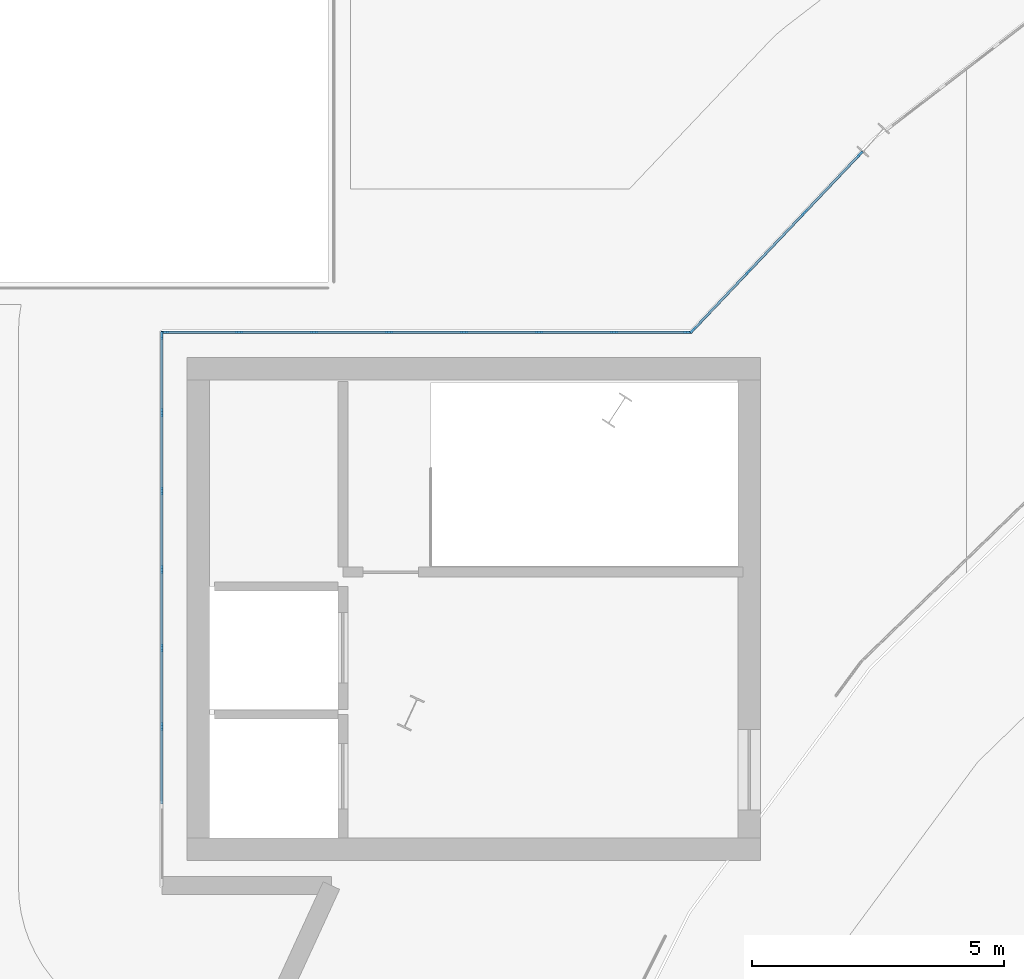
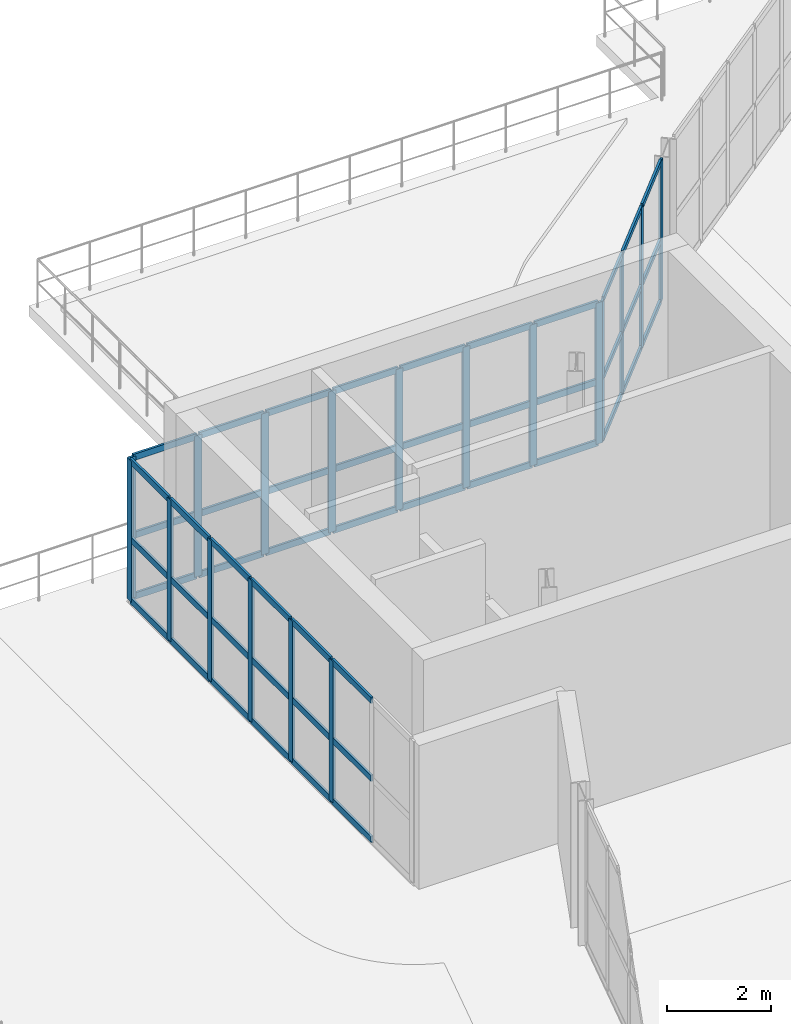
# One storey, part 17 of 40: 66 members, 3 elements without a shape of their own.
"""IFC4 building model written with IfcOpenShell, lengths in metres."""

from ifc_helpers import new_model, si_unit, direction, frame, origin, origin_2d, place, context, subcontext, project, spatial, rectangle, extrude, material, material_profile, profile_set, type_object, element, aggregate, save


model = new_model("IFC4")

# Units and contexts
model_context = context("Model", 3, precision=1e-05, world=origin(), true_north=direction((0.0, 1.0)))
body_context = subcontext(model_context, "Body", "Model", "MODEL_VIEW")
ifc_project = project(units=[si_unit("LENGTHUNIT", "METRE"), si_unit("AREAUNIT", "SQUARE_METRE"), si_unit("VOLUMEUNIT", "CUBIC_METRE"), si_unit("PLANEANGLEUNIT", "RADIAN"), si_unit("MASSUNIT", "GRAM", prefix="KILO")], contexts=[model_context])

# Site, building, storey
site_placement = place(None, origin())
site = spatial("IfcSite", under=ifc_project, at=site_placement, CompositionType="ELEMENT")
building_placement = place(site_placement, origin())
building = spatial("IfcBuilding", under=site, at=building_placement, Name="Glasvene Arena", CompositionType="ELEMENT")
storey_placement = place(building_placement, frame((0.0, 0.0, 24.0)))
storey = spatial("IfcBuildingStorey", under=building, at=storey_placement, Name="L05", CompositionType="ELEMENT", Elevation=24.0)

# Curtain wall, members
ifc_material_1 = material(Name="Low-emissivity laminated double glazing", Category="glass")
curtain_wall_type_1 = type_object("IfcCurtainWallType", Name="CW-FAC-L05-1092x332", PredefinedType="USERDEFINED", material=ifc_material_1)
curtain_wall_1_placement = place(storey_placement, frame((42.5, 90.0400390625, 0.0)))
curtain_wall_1 = element("IfcCurtainWall", 1, at=curtain_wall_1_placement, inside=storey, type_object=curtain_wall_type_1, Name="Unitised curtain wall CW-F-L05-150-425-955-11", ObjectType="CURTAIN WALL", PredefinedType="USERDEFINED")
ifc_material_2 = material(Name="Anodised architectural aluminium", Category="aluminium")
ifc_material_profile_1 = material_profile(ifc_material_2, rectangle(XDim=0.050048828125, YDim=0.159912109375, at=origin_2d()), Name="ALU MULLION 50x160")
ifc_profile_set_1 = profile_set([ifc_material_profile_1], Name="Anodised architectural aluminium")
member_type_1 = type_object("IfcMemberType", Name="CW-MUL-150", PredefinedType="MULLION", material=ifc_profile_set_1)
member_1_placement = place(storey_placement, frame((42.5, 93.159912109375, 0.06005859375), z_axis=(0.0, 0.0, 1.0), x_axis=(-1.0, 0.0, 0.0)))
member_1 = element("IfcMember", 2, at=member_1_placement, type_object=member_type_1, Name="CW-055 mullion 3", PredefinedType="MULLION", context=body_context, shape_type="SweptSolid", body=[
    extrude(rectangle(XDim=0.050048828125, YDim=0.159912109375, at=origin_2d()), origin(), (0.0, 0.0, 1.0), 3.31982421875),
])
member_2_placement = place(storey_placement, frame((42.5, 94.719970703125, 0.06005859375), z_axis=(0.0, 0.0, 1.0), x_axis=(-1.0, 0.0, 0.0)))
member_2 = element("IfcMember", 3, at=member_2_placement, type_object=member_type_1, Name="CW-055 mullion 4", PredefinedType="MULLION", context=body_context, shape_type="SweptSolid", body=[
    extrude(rectangle(XDim=0.050048828125, YDim=0.159912109375, at=origin_2d()), origin(), (0.0, 0.0, 1.0), 3.31982421875),
])
member_3_placement = place(storey_placement, frame((42.5, 96.280029296875, 0.06005859375), z_axis=(0.0, 0.0, 1.0), x_axis=(-1.0, 0.0, 0.0)))
member_3 = element("IfcMember", 4, at=member_3_placement, type_object=member_type_1, Name="CW-055 mullion 5", PredefinedType="MULLION", context=body_context, shape_type="SweptSolid", body=[
    extrude(rectangle(XDim=0.050048828125, YDim=0.159912109375, at=origin_2d()), origin(), (0.0, 0.0, 1.0), 3.31982421875),
])
member_4_placement = place(storey_placement, frame((42.5, 97.840087890625, 0.06005859375), z_axis=(0.0, 0.0, 1.0), x_axis=(-1.0, 0.0, 0.0)))
member_4 = element("IfcMember", 5, at=member_4_placement, type_object=member_type_1, Name="CW-055 mullion 6", PredefinedType="MULLION", context=body_context, shape_type="SweptSolid", body=[
    extrude(rectangle(XDim=0.050048828125, YDim=0.159912109375, at=origin_2d()), origin(), (0.0, 0.0, 1.0), 3.31982421875),
])
member_5_placement = place(storey_placement, frame((42.5, 99.39990234375, 0.06005859375), z_axis=(0.0, 0.0, 1.0), x_axis=(-1.0, 0.0, 0.0)))
member_5 = element("IfcMember", 6, at=member_5_placement, type_object=member_type_1, Name="CW-055 mullion 7", PredefinedType="MULLION", context=body_context, shape_type="SweptSolid", body=[
    extrude(rectangle(XDim=0.050048828125, YDim=0.159912109375, at=origin_2d()), origin(), (0.0, 0.0, 1.0), 3.31982421875),
])
member_6_placement = place(storey_placement, frame((42.5, 100.93505859375, 0.06005859375), z_axis=(0.0, 0.0, 1.0), x_axis=(-1.0, 0.0, 0.0)))
member_6 = element("IfcMember", 7, at=member_6_placement, type_object=member_type_1, Name="CW-055 mullion 8", PredefinedType="MULLION", context=body_context, shape_type="SweptSolid", body=[
    extrude(rectangle(XDim=0.050048828125, YDim=0.159912109375, at=origin_2d()), origin(), (0.0, 0.0, 1.0), 3.31982421875),
])

curtain_wall_type_2 = type_object("IfcCurtainWallType", Name="CW-FAC-L05-1044x332", PredefinedType="USERDEFINED", material=ifc_material_1)
curtain_wall_2_placement = place(storey_placement, frame((42.5400390625, 101.0, 0.0)))
curtain_wall_2 = element("IfcCurtainWall", 8, at=curtain_wall_2_placement, inside=storey, type_object=curtain_wall_type_2, Name="Unitised curtain wall CW-F-L05-150-478-1010-12", ObjectType="CURTAIN WALL", PredefinedType="USERDEFINED")
member_7_placement = place(storey_placement, frame((42.56494140625, 101.0, 0.06005859375), z_axis=(0.0, 0.0, 1.0), x_axis=(0.0, 1.0, 0.0)))
member_7 = element("IfcMember", 9, at=member_7_placement, type_object=member_type_1, Name="CW-059 mullion 1", PredefinedType="MULLION", context=body_context, shape_type="SweptSolid", body=[
    extrude(rectangle(XDim=0.050048828125, YDim=0.159912109375, at=origin_2d()), origin(), (0.0, 0.0, 1.0), 3.31982421875),
])
member_8_placement = place(storey_placement, frame((44.031494140625, 101.0, 0.06005859375), z_axis=(0.0, 0.0, 1.0), x_axis=(0.0, 1.0, 0.0)))
member_8 = element("IfcMember", 10, at=member_8_placement, type_object=member_type_1, Name="CW-059 mullion 2", PredefinedType="MULLION", context=body_context, shape_type="SweptSolid", body=[
    extrude(rectangle(XDim=0.050048828125, YDim=0.159912109375, at=origin_2d()), origin(), (0.0, 0.0, 1.0), 3.31982421875),
])
member_9_placement = place(storey_placement, frame((45.522705078125, 101.0, 0.06005859375), z_axis=(0.0, 0.0, 1.0), x_axis=(0.0, 1.0, 0.0)))
member_9 = element("IfcMember", 11, at=member_9_placement, type_object=member_type_1, Name="CW-059 mullion 3", PredefinedType="MULLION", context=body_context, shape_type="SweptSolid", body=[
    extrude(rectangle(XDim=0.050048828125, YDim=0.159912109375, at=origin_2d()), origin(), (0.0, 0.0, 1.0), 3.31982421875),
])
member_10_placement = place(storey_placement, frame((47.01416015625, 101.0, 0.06005859375), z_axis=(0.0, 0.0, 1.0), x_axis=(0.0, 1.0, 0.0)))
member_10 = element("IfcMember", 12, at=member_10_placement, type_object=member_type_1, Name="CW-059 mullion 4", PredefinedType="MULLION", context=body_context, shape_type="SweptSolid", body=[
    extrude(rectangle(XDim=0.050048828125, YDim=0.159912109375, at=origin_2d()), origin(), (0.0, 0.0, 1.0), 3.31982421875),
])
member_11_placement = place(storey_placement, frame((48.505615234375, 101.0, 0.06005859375), z_axis=(0.0, 0.0, 1.0), x_axis=(0.0, 1.0, 0.0)))
member_11 = element("IfcMember", 13, at=member_11_placement, type_object=member_type_1, Name="CW-059 mullion 5", PredefinedType="MULLION", context=body_context, shape_type="SweptSolid", body=[
    extrude(rectangle(XDim=0.050048828125, YDim=0.159912109375, at=origin_2d()), origin(), (0.0, 0.0, 1.0), 3.31982421875),
])
member_12_placement = place(storey_placement, frame((49.9970703125, 101.0, 0.06005859375), z_axis=(0.0, 0.0, 1.0), x_axis=(0.0, 1.0, 0.0)))
member_12 = element("IfcMember", 14, at=member_12_placement, type_object=member_type_1, Name="CW-059 mullion 6", PredefinedType="MULLION", context=body_context, shape_type="SweptSolid", body=[
    extrude(rectangle(XDim=0.050048828125, YDim=0.159912109375, at=origin_2d()), origin(), (0.0, 0.0, 1.0), 3.31982421875),
])
member_13_placement = place(storey_placement, frame((51.48828125, 101.0, 0.06005859375), z_axis=(0.0, 0.0, 1.0), x_axis=(0.0, 1.0, 0.0)))
member_13 = element("IfcMember", 15, at=member_13_placement, type_object=member_type_1, Name="CW-059 mullion 7", PredefinedType="MULLION", context=body_context, shape_type="SweptSolid", body=[
    extrude(rectangle(XDim=0.050048828125, YDim=0.159912109375, at=origin_2d()), origin(), (0.0, 0.0, 1.0), 3.31982421875),
])
member_14_placement = place(storey_placement, frame((52.954833984375, 101.0, 0.06005859375), z_axis=(0.0, 0.0, 1.0), x_axis=(0.0, 1.0, 0.0)))
member_14 = element("IfcMember", 16, at=member_14_placement, type_object=member_type_1, Name="CW-059 mullion 8", PredefinedType="MULLION", context=body_context, shape_type="SweptSolid", body=[
    extrude(rectangle(XDim=0.050048828125, YDim=0.159912109375, at=origin_2d()), origin(), (0.0, 0.0, 1.0), 3.31982421875),
])

curtain_wall_type_3 = type_object("IfcCurtainWallType", Name="CW-FAC-L05-486x332", PredefinedType="USERDEFINED", material=ifc_material_1)
curtain_wall_3_placement = place(storey_placement, frame((53.04736328125, 101.029052734375, 0.0)))
curtain_wall_3 = element("IfcCurtainWall", 17, at=curtain_wall_3_placement, inside=storey, type_object=curtain_wall_type_3, Name="Unitised curtain wall CW-F-L05-150-547-1028-13", ObjectType="CURTAIN WALL", PredefinedType="USERDEFINED")
member_15_placement = place(storey_placement, frame((53.064453125, 101.047119140625, 0.06005859375), z_axis=(0.0, 0.0, 1.0), x_axis=(-0.725366727026, 0.688362630685, 0.0)))
member_15 = element("IfcMember", 18, at=member_15_placement, type_object=member_type_1, Name="CW-060 mullion 1", PredefinedType="MULLION", context=body_context, shape_type="SweptSolid", body=[
    extrude(rectangle(XDim=0.050048828125, YDim=0.159912109375, at=origin_2d()), origin(), (0.0, 0.0, 1.0), 3.31982421875),
])
member_16_placement = place(storey_placement, frame((54.162109375, 102.203857421875, 0.06005859375), z_axis=(0.0, 0.0, 1.0), x_axis=(-0.725366727026, 0.688362630685, 0.0)))
member_16 = element("IfcMember", 19, at=member_16_placement, type_object=member_type_1, Name="CW-060 mullion 2", PredefinedType="MULLION", context=body_context, shape_type="SweptSolid", body=[
    extrude(rectangle(XDim=0.050048828125, YDim=0.159912109375, at=origin_2d()), origin(), (0.0, 0.0, 1.0), 3.31982421875),
])
member_17_placement = place(storey_placement, frame((55.277099609375, 103.378662109375, 0.06005859375), z_axis=(0.0, 0.0, 1.0), x_axis=(-0.725366727026, 0.688362630685, 0.0)))
member_17 = element("IfcMember", 20, at=member_17_placement, type_object=member_type_1, Name="CW-060 mullion 3", PredefinedType="MULLION", context=body_context, shape_type="SweptSolid", body=[
    extrude(rectangle(XDim=0.050048828125, YDim=0.159912109375, at=origin_2d()), origin(), (0.0, 0.0, 1.0), 3.31982421875),
])
member_18_placement = place(storey_placement, frame((56.374755859375, 104.535400390625, 0.06005859375), z_axis=(0.0, 0.0, 1.0), x_axis=(-0.725366727026, 0.688362630685, 0.0)))
member_18 = element("IfcMember", 21, at=member_18_placement, type_object=member_type_1, Name="CW-060 mullion 4", PredefinedType="MULLION", context=body_context, shape_type="SweptSolid", body=[
    extrude(rectangle(XDim=0.050048828125, YDim=0.159912109375, at=origin_2d()), origin(), (0.0, 0.0, 1.0), 3.31982421875),
])
ifc_material_profile_2 = material_profile(ifc_material_2, rectangle(XDim=0.050048828125, YDim=0.1201171875, at=origin_2d()), Name="ALU TRANSOM 50x120")
ifc_profile_set_2 = profile_set([ifc_material_profile_2], Name="Anodised architectural aluminium")
member_type_2 = type_object("IfcMemberType", Name="CW-TRN-120", PredefinedType="USERDEFINED", material=ifc_profile_set_2)
member_19_placement = place(storey_placement, frame((53.081787109375, 101.065185546875, 0.0849609375), z_axis=(0.688292423357, 0.725433346317, 0.0), x_axis=(-0.725433346317, 0.688292423357, 0.0)))
member_19 = element("IfcMember", 22, at=member_19_placement, type_object=member_type_2, Name="CW-060 transom 1.1", ObjectType="TRANSOM", PredefinedType="USERDEFINED", context=body_context, shape_type="SweptSolid", body=[
    extrude(rectangle(XDim=0.050048828125, YDim=0.1201171875, at=origin_2d()), origin(), (0.0, 0.0, 1.0), 1.544677734375),
])
member_20_placement = place(storey_placement, frame((53.081787109375, 101.065185546875, 1.52099609375), z_axis=(0.688292423357, 0.725433346317, 0.0), x_axis=(-0.725433346317, 0.688292423357, 0.0)))
member_20 = element("IfcMember", 23, at=member_20_placement, type_object=member_type_2, Name="CW-060 transom 1.2", ObjectType="TRANSOM", PredefinedType="USERDEFINED", context=body_context, shape_type="SweptSolid", body=[
    extrude(rectangle(XDim=0.050048828125, YDim=0.1201171875, at=origin_2d()), origin(), (0.0, 0.0, 1.0), 1.544677734375),
])
member_21_placement = place(storey_placement, frame((53.081787109375, 101.065185546875, 3.35498046875), z_axis=(0.688292423357, 0.725433346317, 0.0), x_axis=(-0.725433346317, 0.688292423357, 0.0)))
member_21 = element("IfcMember", 24, at=member_21_placement, type_object=member_type_2, Name="CW-060 transom 1.3", ObjectType="TRANSOM", PredefinedType="USERDEFINED", context=body_context, shape_type="SweptSolid", body=[
    extrude(rectangle(XDim=0.050048828125, YDim=0.1201171875, at=origin_2d()), origin(), (0.0, 0.0, 1.0), 1.544677734375),
])
member_22_placement = place(storey_placement, frame((54.179443359375, 102.221923828125, 0.0849609375), z_axis=(0.688356970183, 0.72537209872, 0.0), x_axis=(-0.72537209872, 0.688356970183, 0.0)))
member_22 = element("IfcMember", 25, at=member_22_placement, type_object=member_type_2, Name="CW-060 transom 2.1", ObjectType="TRANSOM", PredefinedType="USERDEFINED", context=body_context, shape_type="SweptSolid", body=[
    extrude(rectangle(XDim=0.050048828125, YDim=0.1201171875, at=origin_2d()), origin(), (0.0, 0.0, 1.0), 1.56982421875),
])
member_23_placement = place(storey_placement, frame((54.179443359375, 102.221923828125, 1.52099609375), z_axis=(0.688356970183, 0.72537209872, 0.0), x_axis=(-0.72537209872, 0.688356970183, 0.0)))
member_23 = element("IfcMember", 26, at=member_23_placement, type_object=member_type_2, Name="CW-060 transom 2.2", ObjectType="TRANSOM", PredefinedType="USERDEFINED", context=body_context, shape_type="SweptSolid", body=[
    extrude(rectangle(XDim=0.050048828125, YDim=0.1201171875, at=origin_2d()), origin(), (0.0, 0.0, 1.0), 1.56982421875),
])
member_24_placement = place(storey_placement, frame((54.179443359375, 102.221923828125, 3.35498046875), z_axis=(0.688356970183, 0.72537209872, 0.0), x_axis=(-0.72537209872, 0.688356970183, 0.0)))
member_24 = element("IfcMember", 27, at=member_24_placement, type_object=member_type_2, Name="CW-060 transom 2.3", ObjectType="TRANSOM", PredefinedType="USERDEFINED", context=body_context, shape_type="SweptSolid", body=[
    extrude(rectangle(XDim=0.050048828125, YDim=0.1201171875, at=origin_2d()), origin(), (0.0, 0.0, 1.0), 1.56982421875),
])
member_25_placement = place(storey_placement, frame((55.294189453125, 103.396728515625, 0.0849609375), z_axis=(0.688375582307, 0.725354435902, 0.0), x_axis=(-0.725354435902, 0.688375582307, 0.0)))
member_25 = element("IfcMember", 28, at=member_25_placement, type_object=member_type_2, Name="CW-060 transom 3.1", ObjectType="TRANSOM", PredefinedType="USERDEFINED", context=body_context, shape_type="SweptSolid", body=[
    extrude(rectangle(XDim=0.050048828125, YDim=0.1201171875, at=origin_2d()), origin(), (0.0, 0.0, 1.0), 1.544921875),
])
member_26_placement = place(storey_placement, frame((55.294189453125, 103.396728515625, 1.52099609375), z_axis=(0.688375582307, 0.725354435902, 0.0), x_axis=(-0.725354435902, 0.688375582307, 0.0)))
member_26 = element("IfcMember", 29, at=member_26_placement, type_object=member_type_2, Name="CW-060 transom 3.2", ObjectType="TRANSOM", PredefinedType="USERDEFINED", context=body_context, shape_type="SweptSolid", body=[
    extrude(rectangle(XDim=0.050048828125, YDim=0.1201171875, at=origin_2d()), origin(), (0.0, 0.0, 1.0), 1.544921875),
])
member_27_placement = place(storey_placement, frame((55.294189453125, 103.396728515625, 3.35498046875), z_axis=(0.688375582307, 0.725354435902, 0.0), x_axis=(-0.725354435902, 0.688375582307, 0.0)))
member_27 = element("IfcMember", 30, at=member_27_placement, type_object=member_type_2, Name="CW-060 transom 3.3", ObjectType="TRANSOM", PredefinedType="USERDEFINED", context=body_context, shape_type="SweptSolid", body=[
    extrude(rectangle(XDim=0.050048828125, YDim=0.1201171875, at=origin_2d()), origin(), (0.0, 0.0, 1.0), 1.544921875),
])
aggregate(curtain_wall_3, [member_15, member_16, member_17, member_18, member_19, member_20, member_21, member_22, member_23, member_24, member_25, member_26, member_27])

# Member
ifc_material_profile_3 = material_profile(ifc_material_2, rectangle(XDim=0.050048828125, YDim=0.14990234375, at=origin_2d()), Name="ALU TRANSOM 50x150")
ifc_profile_set_3 = profile_set([ifc_material_profile_3], Name="Anodised architectural aluminium")
member_type_3 = type_object("IfcMemberType", Name="CW-TRN-150", PredefinedType="USERDEFINED", material=ifc_profile_set_3)
member_28_placement = place(storey_placement, frame((42.5, 91.625, 0.0849609375), z_axis=(0.0, 1.0, 0.0), x_axis=(-1.0, 0.0, 0.0)))
member_28 = element("IfcMember", 31, at=member_28_placement, type_object=member_type_3, Name="CW-055 transom 2.1", ObjectType="TRANSOM", PredefinedType="USERDEFINED", context=body_context, shape_type="SweptSolid", body=[
    extrude(rectangle(XDim=0.050048828125, YDim=0.14990234375, at=origin_2d()), origin(), (0.0, 0.0, 1.0), 1.510009765625),
])

member_29_placement = place(storey_placement, frame((42.5, 91.625, 1.52099609375), z_axis=(0.0, 1.0, 0.0), x_axis=(-1.0, 0.0, 0.0)))
member_29 = element("IfcMember", 32, at=member_29_placement, type_object=member_type_3, Name="CW-055 transom 2.2", ObjectType="TRANSOM", PredefinedType="USERDEFINED", context=body_context, shape_type="SweptSolid", body=[
    extrude(rectangle(XDim=0.050048828125, YDim=0.14990234375, at=origin_2d()), origin(), (0.0, 0.0, 1.0), 1.510009765625),
])

member_30_placement = place(storey_placement, frame((42.5, 91.625, 3.35498046875), z_axis=(0.0, 1.0, 0.0), x_axis=(-1.0, 0.0, 0.0)))
member_30 = element("IfcMember", 33, at=member_30_placement, type_object=member_type_3, Name="CW-055 transom 2.3", ObjectType="TRANSOM", PredefinedType="USERDEFINED", context=body_context, shape_type="SweptSolid", body=[
    extrude(rectangle(XDim=0.050048828125, YDim=0.14990234375, at=origin_2d()), origin(), (0.0, 0.0, 1.0), 1.510009765625),
])

member_31_placement = place(storey_placement, frame((42.5, 93.18505859375, 0.0849609375), z_axis=(0.0, 1.0, 0.0), x_axis=(-1.0, 0.0, 0.0)))
member_31 = element("IfcMember", 34, at=member_31_placement, type_object=member_type_3, Name="CW-055 transom 3.1", ObjectType="TRANSOM", PredefinedType="USERDEFINED", context=body_context, shape_type="SweptSolid", body=[
    extrude(rectangle(XDim=0.050048828125, YDim=0.14990234375, at=origin_2d()), origin(), (0.0, 0.0, 1.0), 1.510009765625),
])

member_32_placement = place(storey_placement, frame((42.5, 93.18505859375, 1.52099609375), z_axis=(0.0, 1.0, 0.0), x_axis=(-1.0, 0.0, 0.0)))
member_32 = element("IfcMember", 35, at=member_32_placement, type_object=member_type_3, Name="CW-055 transom 3.2", ObjectType="TRANSOM", PredefinedType="USERDEFINED", context=body_context, shape_type="SweptSolid", body=[
    extrude(rectangle(XDim=0.050048828125, YDim=0.14990234375, at=origin_2d()), origin(), (0.0, 0.0, 1.0), 1.510009765625),
])

member_33_placement = place(storey_placement, frame((42.5, 93.18505859375, 3.35498046875), z_axis=(0.0, 1.0, 0.0), x_axis=(-1.0, 0.0, 0.0)))
member_33 = element("IfcMember", 36, at=member_33_placement, type_object=member_type_3, Name="CW-055 transom 3.3", ObjectType="TRANSOM", PredefinedType="USERDEFINED", context=body_context, shape_type="SweptSolid", body=[
    extrude(rectangle(XDim=0.050048828125, YDim=0.14990234375, at=origin_2d()), origin(), (0.0, 0.0, 1.0), 1.510009765625),
])

member_34_placement = place(storey_placement, frame((42.5, 94.7451171875, 0.0849609375), z_axis=(0.0, 1.0, 0.0), x_axis=(-1.0, 0.0, 0.0)))
member_34 = element("IfcMember", 37, at=member_34_placement, type_object=member_type_3, Name="CW-055 transom 4.1", ObjectType="TRANSOM", PredefinedType="USERDEFINED", context=body_context, shape_type="SweptSolid", body=[
    extrude(rectangle(XDim=0.050048828125, YDim=0.14990234375, at=origin_2d()), origin(), (0.0, 0.0, 1.0), 1.509765625),
])

member_35_placement = place(storey_placement, frame((42.5, 94.7451171875, 1.52099609375), z_axis=(0.0, 1.0, 0.0), x_axis=(-1.0, 0.0, 0.0)))
member_35 = element("IfcMember", 38, at=member_35_placement, type_object=member_type_3, Name="CW-055 transom 4.2", ObjectType="TRANSOM", PredefinedType="USERDEFINED", context=body_context, shape_type="SweptSolid", body=[
    extrude(rectangle(XDim=0.050048828125, YDim=0.14990234375, at=origin_2d()), origin(), (0.0, 0.0, 1.0), 1.509765625),
])

member_36_placement = place(storey_placement, frame((42.5, 94.7451171875, 3.35498046875), z_axis=(0.0, 1.0, 0.0), x_axis=(-1.0, 0.0, 0.0)))
member_36 = element("IfcMember", 39, at=member_36_placement, type_object=member_type_3, Name="CW-055 transom 4.3", ObjectType="TRANSOM", PredefinedType="USERDEFINED", context=body_context, shape_type="SweptSolid", body=[
    extrude(rectangle(XDim=0.050048828125, YDim=0.14990234375, at=origin_2d()), origin(), (0.0, 0.0, 1.0), 1.509765625),
])

member_37_placement = place(storey_placement, frame((42.5, 96.304931640625, 0.0849609375), z_axis=(0.0, 1.0, 0.0), x_axis=(-1.0, 0.0, 0.0)))
member_37 = element("IfcMember", 40, at=member_37_placement, type_object=member_type_3, Name="CW-055 transom 5.1", ObjectType="TRANSOM", PredefinedType="USERDEFINED", context=body_context, shape_type="SweptSolid", body=[
    extrude(rectangle(XDim=0.050048828125, YDim=0.14990234375, at=origin_2d()), origin(), (0.0, 0.0, 1.0), 1.510009765625),
])

member_38_placement = place(storey_placement, frame((42.5, 96.304931640625, 1.52099609375), z_axis=(0.0, 1.0, 0.0), x_axis=(-1.0, 0.0, 0.0)))
member_38 = element("IfcMember", 41, at=member_38_placement, type_object=member_type_3, Name="CW-055 transom 5.2", ObjectType="TRANSOM", PredefinedType="USERDEFINED", context=body_context, shape_type="SweptSolid", body=[
    extrude(rectangle(XDim=0.050048828125, YDim=0.14990234375, at=origin_2d()), origin(), (0.0, 0.0, 1.0), 1.510009765625),
])

member_39_placement = place(storey_placement, frame((42.5, 96.304931640625, 3.35498046875), z_axis=(0.0, 1.0, 0.0), x_axis=(-1.0, 0.0, 0.0)))
member_39 = element("IfcMember", 42, at=member_39_placement, type_object=member_type_3, Name="CW-055 transom 5.3", ObjectType="TRANSOM", PredefinedType="USERDEFINED", context=body_context, shape_type="SweptSolid", body=[
    extrude(rectangle(XDim=0.050048828125, YDim=0.14990234375, at=origin_2d()), origin(), (0.0, 0.0, 1.0), 1.510009765625),
])

member_40_placement = place(storey_placement, frame((42.5, 97.864990234375, 0.0849609375), z_axis=(0.0, 1.0, 0.0), x_axis=(-1.0, 0.0, 0.0)))
member_40 = element("IfcMember", 43, at=member_40_placement, type_object=member_type_3, Name="CW-055 transom 6.1", ObjectType="TRANSOM", PredefinedType="USERDEFINED", context=body_context, shape_type="SweptSolid", body=[
    extrude(rectangle(XDim=0.050048828125, YDim=0.14990234375, at=origin_2d()), origin(), (0.0, 0.0, 1.0), 1.510009765625),
])

member_41_placement = place(storey_placement, frame((42.5, 97.864990234375, 1.52099609375), z_axis=(0.0, 1.0, 0.0), x_axis=(-1.0, 0.0, 0.0)))
member_41 = element("IfcMember", 44, at=member_41_placement, type_object=member_type_3, Name="CW-055 transom 6.2", ObjectType="TRANSOM", PredefinedType="USERDEFINED", context=body_context, shape_type="SweptSolid", body=[
    extrude(rectangle(XDim=0.050048828125, YDim=0.14990234375, at=origin_2d()), origin(), (0.0, 0.0, 1.0), 1.510009765625),
])

member_42_placement = place(storey_placement, frame((42.5, 97.864990234375, 3.35498046875), z_axis=(0.0, 1.0, 0.0), x_axis=(-1.0, 0.0, 0.0)))
member_42 = element("IfcMember", 45, at=member_42_placement, type_object=member_type_3, Name="CW-055 transom 6.3", ObjectType="TRANSOM", PredefinedType="USERDEFINED", context=body_context, shape_type="SweptSolid", body=[
    extrude(rectangle(XDim=0.050048828125, YDim=0.14990234375, at=origin_2d()), origin(), (0.0, 0.0, 1.0), 1.510009765625),
])

member_43_placement = place(storey_placement, frame((42.5, 99.425048828125, 0.0849609375), z_axis=(0.0, 1.0, 0.0), x_axis=(-1.0, 0.0, 0.0)))
member_43 = element("IfcMember", 46, at=member_43_placement, type_object=member_type_3, Name="CW-055 transom 7.1", ObjectType="TRANSOM", PredefinedType="USERDEFINED", context=body_context, shape_type="SweptSolid", body=[
    extrude(rectangle(XDim=0.050048828125, YDim=0.14990234375, at=origin_2d()), origin(), (0.0, 0.0, 1.0), 1.48486328125),
])

member_44_placement = place(storey_placement, frame((42.5, 99.425048828125, 1.52099609375), z_axis=(0.0, 1.0, 0.0), x_axis=(-1.0, 0.0, 0.0)))
member_44 = element("IfcMember", 47, at=member_44_placement, type_object=member_type_3, Name="CW-055 transom 7.2", ObjectType="TRANSOM", PredefinedType="USERDEFINED", context=body_context, shape_type="SweptSolid", body=[
    extrude(rectangle(XDim=0.050048828125, YDim=0.14990234375, at=origin_2d()), origin(), (0.0, 0.0, 1.0), 1.48486328125),
])

member_45_placement = place(storey_placement, frame((42.5, 99.425048828125, 3.35498046875), z_axis=(0.0, 1.0, 0.0), x_axis=(-1.0, 0.0, 0.0)))
member_45 = element("IfcMember", 48, at=member_45_placement, type_object=member_type_3, Name="CW-055 transom 7.3", ObjectType="TRANSOM", PredefinedType="USERDEFINED", context=body_context, shape_type="SweptSolid", body=[
    extrude(rectangle(XDim=0.050048828125, YDim=0.14990234375, at=origin_2d()), origin(), (0.0, 0.0, 1.0), 1.48486328125),
])

aggregate(curtain_wall_1, [member_1, member_2, member_3, member_4, member_5, member_6, member_28, member_29, member_30, member_31, member_32, member_33, member_34, member_35, member_36, member_37, member_38, member_39, member_40, member_41, member_42, member_43, member_44, member_45])

member_46_placement = place(storey_placement, frame((42.590087890625, 101.0, 0.0849609375), z_axis=(1.0, 0.0, 0.0), x_axis=(0.0, 1.0, 0.0)))
member_46 = element("IfcMember", 49, at=member_46_placement, type_object=member_type_3, Name="CW-059 transom 1.1", ObjectType="TRANSOM", PredefinedType="USERDEFINED", context=body_context, shape_type="SweptSolid", body=[
    extrude(rectangle(XDim=0.050048828125, YDim=0.14990234375, at=origin_2d()), origin(), (0.0, 0.0, 1.0), 1.416259765625),
])

member_47_placement = place(storey_placement, frame((42.590087890625, 101.0, 1.52099609375), z_axis=(1.0, 0.0, 0.0), x_axis=(0.0, 1.0, 0.0)))
member_47 = element("IfcMember", 50, at=member_47_placement, type_object=member_type_3, Name="CW-059 transom 1.2", ObjectType="TRANSOM", PredefinedType="USERDEFINED", context=body_context, shape_type="SweptSolid", body=[
    extrude(rectangle(XDim=0.050048828125, YDim=0.14990234375, at=origin_2d()), origin(), (0.0, 0.0, 1.0), 1.416259765625),
])

member_48_placement = place(storey_placement, frame((42.590087890625, 101.0, 3.35498046875), z_axis=(1.0, 0.0, 0.0), x_axis=(0.0, 1.0, 0.0)))
member_48 = element("IfcMember", 51, at=member_48_placement, type_object=member_type_3, Name="CW-059 transom 1.3", ObjectType="TRANSOM", PredefinedType="USERDEFINED", context=body_context, shape_type="SweptSolid", body=[
    extrude(rectangle(XDim=0.050048828125, YDim=0.14990234375, at=origin_2d()), origin(), (0.0, 0.0, 1.0), 1.416259765625),
])

member_49_placement = place(storey_placement, frame((44.056396484375, 101.0, 0.0849609375), z_axis=(1.0, 0.0, 0.0), x_axis=(0.0, 1.0, 0.0)))
member_49 = element("IfcMember", 52, at=member_49_placement, type_object=member_type_3, Name="CW-059 transom 2.1", ObjectType="TRANSOM", PredefinedType="USERDEFINED", context=body_context, shape_type="SweptSolid", body=[
    extrude(rectangle(XDim=0.050048828125, YDim=0.14990234375, at=origin_2d()), origin(), (0.0, 0.0, 1.0), 1.44140625),
])

member_50_placement = place(storey_placement, frame((44.056396484375, 101.0, 1.52099609375), z_axis=(1.0, 0.0, 0.0), x_axis=(0.0, 1.0, 0.0)))
member_50 = element("IfcMember", 53, at=member_50_placement, type_object=member_type_3, Name="CW-059 transom 2.2", ObjectType="TRANSOM", PredefinedType="USERDEFINED", context=body_context, shape_type="SweptSolid", body=[
    extrude(rectangle(XDim=0.050048828125, YDim=0.14990234375, at=origin_2d()), origin(), (0.0, 0.0, 1.0), 1.44140625),
])

member_51_placement = place(storey_placement, frame((44.056396484375, 101.0, 3.35498046875), z_axis=(1.0, 0.0, 0.0), x_axis=(0.0, 1.0, 0.0)))
member_51 = element("IfcMember", 54, at=member_51_placement, type_object=member_type_3, Name="CW-059 transom 2.3", ObjectType="TRANSOM", PredefinedType="USERDEFINED", context=body_context, shape_type="SweptSolid", body=[
    extrude(rectangle(XDim=0.050048828125, YDim=0.14990234375, at=origin_2d()), origin(), (0.0, 0.0, 1.0), 1.44140625),
])

member_52_placement = place(storey_placement, frame((45.5478515625, 101.0, 0.0849609375), z_axis=(1.0, 0.0, 0.0), x_axis=(0.0, 1.0, 0.0)))
member_52 = element("IfcMember", 55, at=member_52_placement, type_object=member_type_3, Name="CW-059 transom 3.1", ObjectType="TRANSOM", PredefinedType="USERDEFINED", context=body_context, shape_type="SweptSolid", body=[
    extrude(rectangle(XDim=0.050048828125, YDim=0.14990234375, at=origin_2d()), origin(), (0.0, 0.0, 1.0), 1.44140625),
])

member_53_placement = place(storey_placement, frame((45.5478515625, 101.0, 1.52099609375), z_axis=(1.0, 0.0, 0.0), x_axis=(0.0, 1.0, 0.0)))
member_53 = element("IfcMember", 56, at=member_53_placement, type_object=member_type_3, Name="CW-059 transom 3.2", ObjectType="TRANSOM", PredefinedType="USERDEFINED", context=body_context, shape_type="SweptSolid", body=[
    extrude(rectangle(XDim=0.050048828125, YDim=0.14990234375, at=origin_2d()), origin(), (0.0, 0.0, 1.0), 1.44140625),
])

member_54_placement = place(storey_placement, frame((45.5478515625, 101.0, 3.35498046875), z_axis=(1.0, 0.0, 0.0), x_axis=(0.0, 1.0, 0.0)))
member_54 = element("IfcMember", 57, at=member_54_placement, type_object=member_type_3, Name="CW-059 transom 3.3", ObjectType="TRANSOM", PredefinedType="USERDEFINED", context=body_context, shape_type="SweptSolid", body=[
    extrude(rectangle(XDim=0.050048828125, YDim=0.14990234375, at=origin_2d()), origin(), (0.0, 0.0, 1.0), 1.44140625),
])

member_55_placement = place(storey_placement, frame((47.039306640625, 101.0, 0.0849609375), z_axis=(1.0, 0.0, 0.0), x_axis=(0.0, 1.0, 0.0)))
member_55 = element("IfcMember", 58, at=member_55_placement, type_object=member_type_3, Name="CW-059 transom 4.1", ObjectType="TRANSOM", PredefinedType="USERDEFINED", context=body_context, shape_type="SweptSolid", body=[
    extrude(rectangle(XDim=0.050048828125, YDim=0.14990234375, at=origin_2d()), origin(), (0.0, 0.0, 1.0), 1.44140625),
])

member_56_placement = place(storey_placement, frame((47.039306640625, 101.0, 1.52099609375), z_axis=(1.0, 0.0, 0.0), x_axis=(0.0, 1.0, 0.0)))
member_56 = element("IfcMember", 59, at=member_56_placement, type_object=member_type_3, Name="CW-059 transom 4.2", ObjectType="TRANSOM", PredefinedType="USERDEFINED", context=body_context, shape_type="SweptSolid", body=[
    extrude(rectangle(XDim=0.050048828125, YDim=0.14990234375, at=origin_2d()), origin(), (0.0, 0.0, 1.0), 1.44140625),
])

member_57_placement = place(storey_placement, frame((47.039306640625, 101.0, 3.35498046875), z_axis=(1.0, 0.0, 0.0), x_axis=(0.0, 1.0, 0.0)))
member_57 = element("IfcMember", 60, at=member_57_placement, type_object=member_type_3, Name="CW-059 transom 4.3", ObjectType="TRANSOM", PredefinedType="USERDEFINED", context=body_context, shape_type="SweptSolid", body=[
    extrude(rectangle(XDim=0.050048828125, YDim=0.14990234375, at=origin_2d()), origin(), (0.0, 0.0, 1.0), 1.44140625),
])

member_58_placement = place(storey_placement, frame((48.530517578125, 101.0, 0.0849609375), z_axis=(1.0, 0.0, 0.0), x_axis=(0.0, 1.0, 0.0)))
member_58 = element("IfcMember", 61, at=member_58_placement, type_object=member_type_3, Name="CW-059 transom 5.1", ObjectType="TRANSOM", PredefinedType="USERDEFINED", context=body_context, shape_type="SweptSolid", body=[
    extrude(rectangle(XDim=0.050048828125, YDim=0.14990234375, at=origin_2d()), origin(), (0.0, 0.0, 1.0), 1.44140625),
])

member_59_placement = place(storey_placement, frame((48.530517578125, 101.0, 1.52099609375), z_axis=(1.0, 0.0, 0.0), x_axis=(0.0, 1.0, 0.0)))
member_59 = element("IfcMember", 62, at=member_59_placement, type_object=member_type_3, Name="CW-059 transom 5.2", ObjectType="TRANSOM", PredefinedType="USERDEFINED", context=body_context, shape_type="SweptSolid", body=[
    extrude(rectangle(XDim=0.050048828125, YDim=0.14990234375, at=origin_2d()), origin(), (0.0, 0.0, 1.0), 1.44140625),
])

member_60_placement = place(storey_placement, frame((48.530517578125, 101.0, 3.35498046875), z_axis=(1.0, 0.0, 0.0), x_axis=(0.0, 1.0, 0.0)))
member_60 = element("IfcMember", 63, at=member_60_placement, type_object=member_type_3, Name="CW-059 transom 5.3", ObjectType="TRANSOM", PredefinedType="USERDEFINED", context=body_context, shape_type="SweptSolid", body=[
    extrude(rectangle(XDim=0.050048828125, YDim=0.14990234375, at=origin_2d()), origin(), (0.0, 0.0, 1.0), 1.44140625),
])

member_61_placement = place(storey_placement, frame((50.02197265625, 101.0, 0.0849609375), z_axis=(1.0, 0.0, 0.0), x_axis=(0.0, 1.0, 0.0)))
member_61 = element("IfcMember", 64, at=member_61_placement, type_object=member_type_3, Name="CW-059 transom 6.1", ObjectType="TRANSOM", PredefinedType="USERDEFINED", context=body_context, shape_type="SweptSolid", body=[
    extrude(rectangle(XDim=0.050048828125, YDim=0.14990234375, at=origin_2d()), origin(), (0.0, 0.0, 1.0), 1.44140625),
])

member_62_placement = place(storey_placement, frame((50.02197265625, 101.0, 1.52099609375), z_axis=(1.0, 0.0, 0.0), x_axis=(0.0, 1.0, 0.0)))
member_62 = element("IfcMember", 65, at=member_62_placement, type_object=member_type_3, Name="CW-059 transom 6.2", ObjectType="TRANSOM", PredefinedType="USERDEFINED", context=body_context, shape_type="SweptSolid", body=[
    extrude(rectangle(XDim=0.050048828125, YDim=0.14990234375, at=origin_2d()), origin(), (0.0, 0.0, 1.0), 1.44140625),
])

member_63_placement = place(storey_placement, frame((50.02197265625, 101.0, 3.35498046875), z_axis=(1.0, 0.0, 0.0), x_axis=(0.0, 1.0, 0.0)))
member_63 = element("IfcMember", 66, at=member_63_placement, type_object=member_type_3, Name="CW-059 transom 6.3", ObjectType="TRANSOM", PredefinedType="USERDEFINED", context=body_context, shape_type="SweptSolid", body=[
    extrude(rectangle(XDim=0.050048828125, YDim=0.14990234375, at=origin_2d()), origin(), (0.0, 0.0, 1.0), 1.44140625),
])

member_64_placement = place(storey_placement, frame((51.513427734375, 101.0, 0.0849609375), z_axis=(1.0, 0.0, 0.0), x_axis=(0.0, 1.0, 0.0)))
member_64 = element("IfcMember", 67, at=member_64_placement, type_object=member_type_3, Name="CW-059 transom 7.1", ObjectType="TRANSOM", PredefinedType="USERDEFINED", context=body_context, shape_type="SweptSolid", body=[
    extrude(rectangle(XDim=0.050048828125, YDim=0.14990234375, at=origin_2d()), origin(), (0.0, 0.0, 1.0), 1.416259765625),
])

member_65_placement = place(storey_placement, frame((51.513427734375, 101.0, 1.52099609375), z_axis=(1.0, 0.0, 0.0), x_axis=(0.0, 1.0, 0.0)))
member_65 = element("IfcMember", 68, at=member_65_placement, type_object=member_type_3, Name="CW-059 transom 7.2", ObjectType="TRANSOM", PredefinedType="USERDEFINED", context=body_context, shape_type="SweptSolid", body=[
    extrude(rectangle(XDim=0.050048828125, YDim=0.14990234375, at=origin_2d()), origin(), (0.0, 0.0, 1.0), 1.416259765625),
])

member_66_placement = place(storey_placement, frame((51.513427734375, 101.0, 3.35498046875), z_axis=(1.0, 0.0, 0.0), x_axis=(0.0, 1.0, 0.0)))
member_66 = element("IfcMember", 69, at=member_66_placement, type_object=member_type_3, Name="CW-059 transom 7.3", ObjectType="TRANSOM", PredefinedType="USERDEFINED", context=body_context, shape_type="SweptSolid", body=[
    extrude(rectangle(XDim=0.050048828125, YDim=0.14990234375, at=origin_2d()), origin(), (0.0, 0.0, 1.0), 1.416259765625),
])

aggregate(curtain_wall_2, [member_7, member_8, member_9, member_10, member_11, member_12, member_13, member_14, member_46, member_47, member_48, member_49, member_50, member_51, member_52, member_53, member_54, member_55, member_56, member_57, member_58, member_59, member_60, member_61, member_62, member_63, member_64, member_65, member_66])

save(model, "model.ifc")
